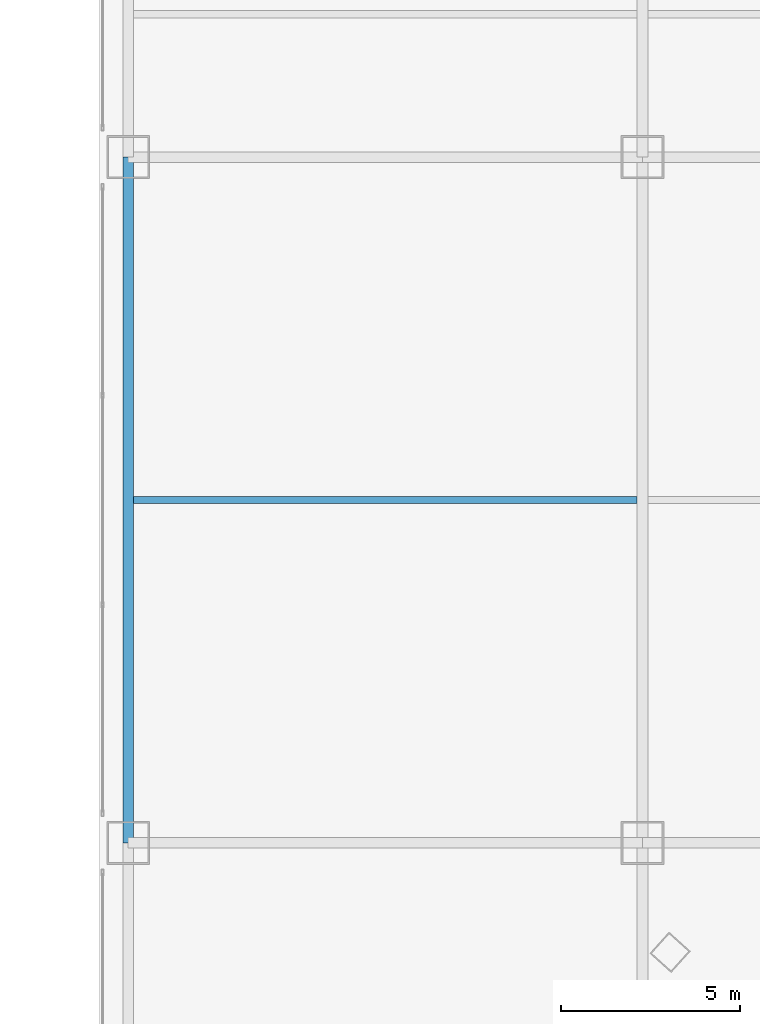
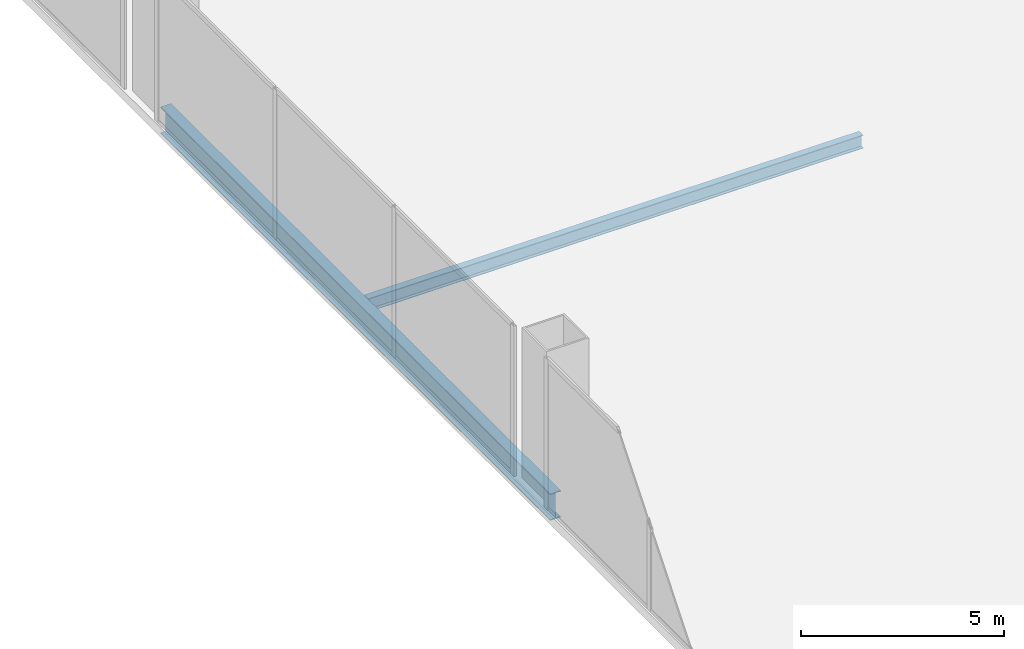
# One storey, part 33 of 58: 2 beams.
"""IFC4 building model written with IfcOpenShell, lengths in metres."""

from ifc_helpers import new_model, si_unit, direction, frame, origin, origin_2d, place, context, subcontext, project, spatial, i_section, extrude, source, transform, mapped, material, material_profile, profile_set, type_object, element, save


model = new_model("IFC4")

# Units and contexts
model_context = context("Model", 3, precision=1e-05, world=origin(), true_north=direction((0.0, 1.0)))
body_context = subcontext(model_context, "Body", "Model", "MODEL_VIEW")
ifc_project = project(units=[si_unit("LENGTHUNIT", "METRE"), si_unit("AREAUNIT", "SQUARE_METRE"), si_unit("VOLUMEUNIT", "CUBIC_METRE"), si_unit("PLANEANGLEUNIT", "RADIAN"), si_unit("MASSUNIT", "GRAM", prefix="KILO"), si_unit("THERMODYNAMICTEMPERATUREUNIT", "KELVIN"), si_unit("POWERUNIT", "WATT")], contexts=[model_context])

# Site, building, storey
site_placement = place(None, origin())
site = spatial("IfcSite", under=ifc_project, at=site_placement, CompositionType="ELEMENT")
building_placement = place(site_placement, origin())
building = spatial("IfcBuilding", under=site, at=building_placement, Name="Yunzhuo Pagoda Commons", CompositionType="ELEMENT")
storey_placement = place(building_placement, origin())
storey = spatial("IfcBuildingStorey", under=building, at=storey_placement, Name="L01", CompositionType="ELEMENT", Elevation=0.0)

# Beams
ifc_material = material(Name="Structural steel Q355B", Category="steel")
ifc_material_profile_1 = material_profile(ifc_material, i_section(OverallWidth=0.199951171875, OverallDepth=0.39990234375, WebThickness=0.008056640625, FlangeThickness=0.012939453125, at=origin_2d()), Name="Structural steel Q355B")
ifc_profile_set_1 = profile_set([ifc_material_profile_1], Name="Structural steel Q355B")
beam_type_1 = type_object("IfcBeamType", Name="B-JS1 Joist HN 400x200x8x13", PredefinedType="JOIST", material=ifc_profile_set_1)
shared_shape_1 = source(origin(), body_context, "Body", "SweptSolid", [
    extrude(i_section(OverallWidth=0.199951171875, OverallDepth=0.39990234375, WebThickness=0.008056640625, FlangeThickness=0.012939453125, at=origin_2d()), origin(), (0.0, 0.0, 1.0), 14.08984375),
])
beam_1_placement = place(storey_placement, frame((4.955078125, 71.60009765625, -0.479736328125), z_axis=(1.0, 0.0, 0.0), x_axis=(0.0, 1.0, 0.0)))
element("IfcBeam", 1, at=beam_1_placement, inside=storey, type_object=beam_type_1, Name="L01 podium composite joist 1.4", PredefinedType="JOIST", context=body_context, shape_type="MappedRepresentation", body=[
    mapped(shared_shape_1, transform((0.0, 0.0, 0.0), scale=1.0)),
])
ifc_material_profile_2 = material_profile(ifc_material, i_section(OverallWidth=0.300048828125, OverallDepth=0.800048828125, WebThickness=0.013916015625, FlangeThickness=0.02587890625, at=origin_2d()), Name="Structural steel Q355B")
ifc_profile_set_2 = profile_set([ifc_material_profile_2], Name="Structural steel Q355B")
beam_type_2 = type_object("IfcBeamType", Name="B-PD2 Beam HN 800x300x14x26", PredefinedType="BEAM", material=ifc_profile_set_2)
shared_shape_2 = source(origin(), body_context, "Body", "SweptSolid", [
    extrude(i_section(OverallWidth=0.300048828125, OverallDepth=0.800048828125, WebThickness=0.013916015625, FlangeThickness=0.02587890625, at=origin_2d()), origin(), (0.0, 0.0, 1.0), 19.199951171875),
])
beam_2_placement = place(storey_placement, frame((4.800048828125, 62.0, -0.679931640625), z_axis=(0.0, 1.0, 0.0), x_axis=(-1.0, 0.0, 0.0)))
element("IfcBeam", 2, at=beam_2_placement, inside=storey, type_object=beam_type_2, Name="L01 podium girder NS 1.4", PredefinedType="BEAM", context=body_context, shape_type="MappedRepresentation", body=[
    mapped(shared_shape_2, transform((0.0, 0.0, 0.0), scale=1.0)),
])

save(model, "model.ifc")
